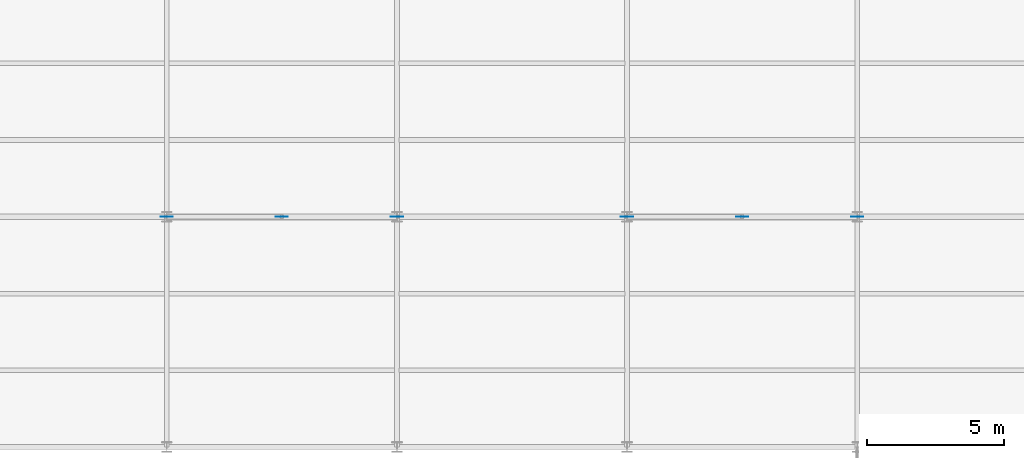
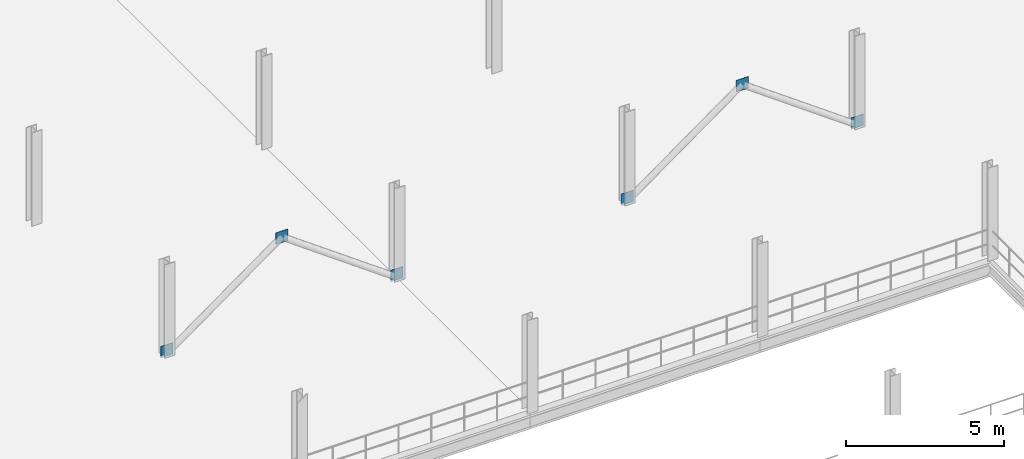
# One storey, part 45 of 62: 6 plates.
"""IFC4 building model written with IfcOpenShell, lengths in metres."""

from ifc_helpers import new_model, si_unit, direction, frame, origin, origin_2d, place, context, subcontext, project, spatial, rectangle, extrude, material, layer, layer_set, type_object, element, save


model = new_model("IFC4")

# Units and contexts
model_context = context("Model", 3, precision=1e-05, world=origin(), true_north=direction((0.0, 1.0)))
body_context = subcontext(model_context, "Body", "Model", "MODEL_VIEW")
ifc_project = project(units=[si_unit("LENGTHUNIT", "METRE"), si_unit("AREAUNIT", "SQUARE_METRE"), si_unit("VOLUMEUNIT", "CUBIC_METRE"), si_unit("PLANEANGLEUNIT", "RADIAN"), si_unit("MASSUNIT", "GRAM", prefix="KILO"), si_unit("THERMODYNAMICTEMPERATUREUNIT", "KELVIN"), si_unit("POWERUNIT", "WATT")], contexts=[model_context])

# Site, building, storey
site_placement = place(None, origin())
site = spatial("IfcSite", under=ifc_project, at=site_placement, CompositionType="ELEMENT")
building_placement = place(site_placement, origin())
building = spatial("IfcBuilding", under=site, at=building_placement, Name="Tembeka Court Mobility Hub", CompositionType="ELEMENT")
storey_placement = place(building_placement, frame((0.0, 0.0, 16.199951171875)))
storey = spatial("IfcBuildingStorey", under=building, at=storey_placement, Name="L04", CompositionType="ELEMENT", Elevation=16.199951171875)

# Plates
ifc_material = material(Name="Steel S355", Category="steel")
ifc_layer = layer(ifc_material, 0.011962890625)
ifc_layer_set = layer_set([ifc_layer], Name="Steel S355")
plate_type = type_object("IfcPlateType", Name="PL-NDP02", PredefinedType="USERDEFINED", material=ifc_layer_set)
for number, where, z_axis, x_axis, name in (
    (1, (33.60009765625, 72.0, -0.0849609375), (0.0, 0.0, 1.0), (1.0, 0.0, 0.0), "Chevron brace gusset plate NDP02 (L04-5-1)"),
    (2, (42.0, 72.0, -0.0849609375), (0.0, 0.0, 1.0), (1.0, 0.0, 0.0), "Chevron brace gusset plate NDP02 (L04-5-2)"),
    (3, (37.800048828125, 72.0, 2.8251953125), (0.0, 0.0, 1.0), (1.0, 0.0, 0.0), "Chevron brace gusset plate NDP02 (L04-5-3)"),
    (4, (50.39990234375, 72.0, -0.0849609375), (0.0, 0.0, 1.0), (1.0, 0.0, 0.0), "Chevron brace gusset plate NDP02 (L04-11-1)"),
    (5, (58.800048828125, 72.0, -0.0849609375), (0.0, 0.0, 1.0), (1.0, 0.0, 0.0), "Chevron brace gusset plate NDP02 (L04-11-2)"),
    (6, (54.60009765625, 72.0, 2.8251953125), (0.0, 0.0, 1.0), (1.0, 0.0, 0.0), "Chevron brace gusset plate NDP02 (L04-11-3)"),
):
    element("IfcPlate", number, at=place(storey_placement, frame(where, z_axis=z_axis, x_axis=x_axis)), inside=storey, type_object=plate_type, Name=name, ObjectType="GUSSET PLATE", PredefinedType="USERDEFINED", context=body_context, shape_type="SweptSolid", body=[
        extrude(rectangle(XDim=0.449951171875, YDim=0.011962890625, at=origin_2d()), origin(), (0.0, 0.0, 1.0), 0.449951171875),
    ])

save(model, "model.ifc")
